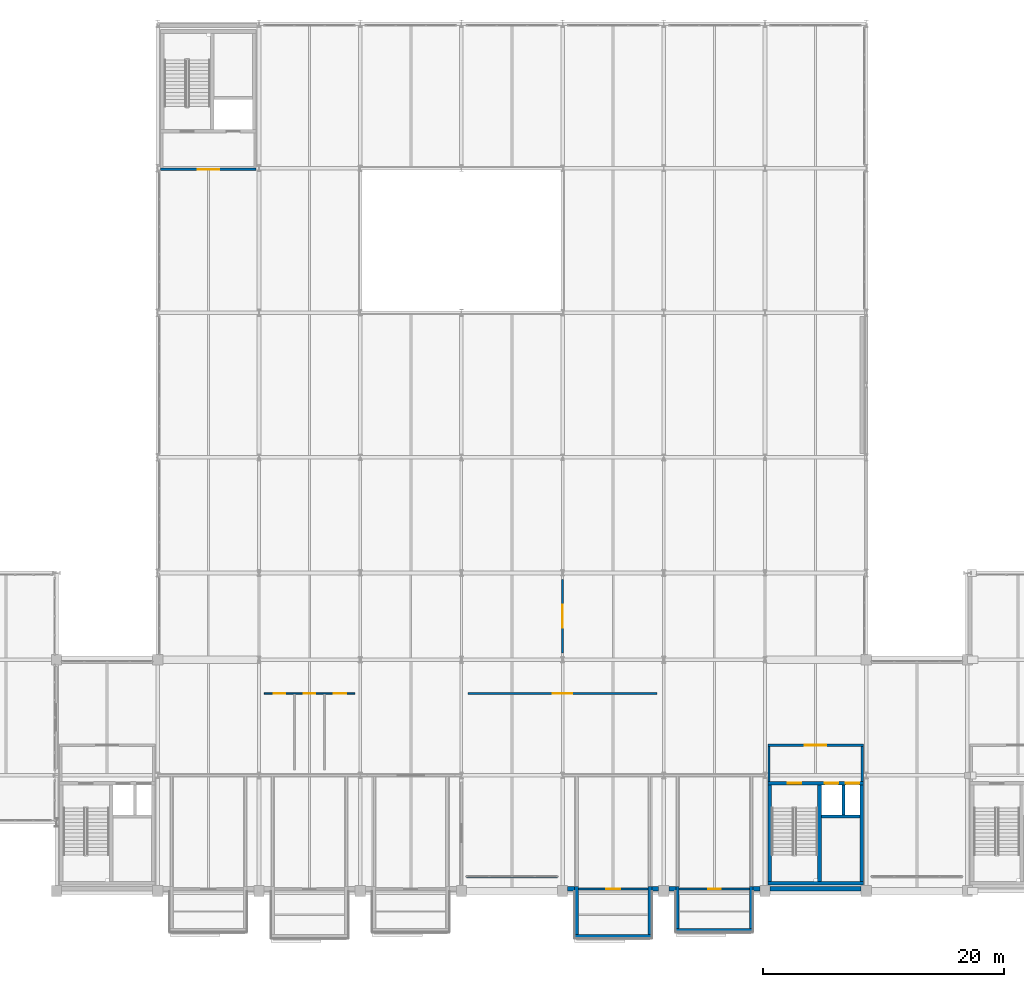
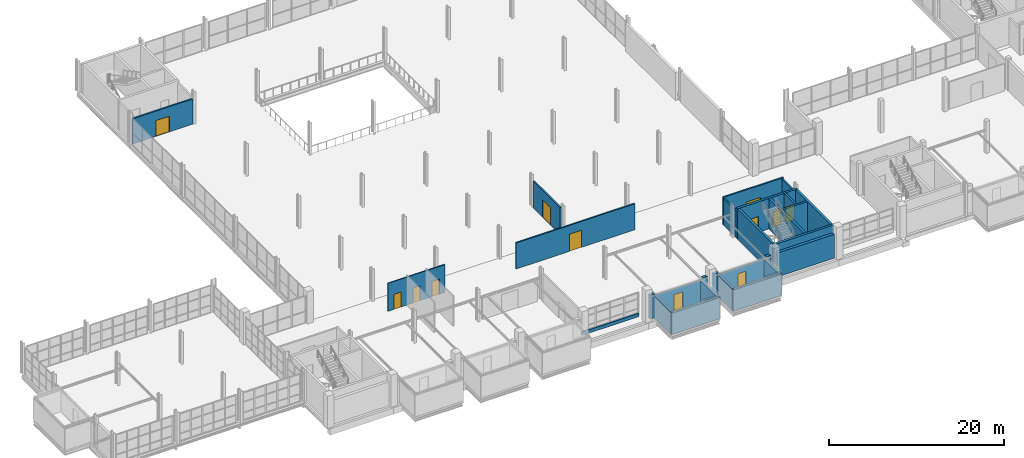
# One storey, part 97 of 109: 28 walls, 12 doors, 12 openings.
"""IFC4 building model written with IfcOpenShell, lengths in metres."""

from ifc_helpers import new_model, si_unit, direction, frame, frame_2d, origin, place, context, subcontext, project, spatial, rectangle, extrude, material, layer, layer_set, type_object, element, fill, save


model = new_model("IFC4")

# Units and contexts
model_context = context("Model", 3, precision=1e-05, world=origin(), true_north=direction((0.0, 1.0)))
body_context = subcontext(model_context, "Body", "Model", "MODEL_VIEW")
ifc_project = project(units=[si_unit("LENGTHUNIT", "METRE"), si_unit("AREAUNIT", "SQUARE_METRE"), si_unit("VOLUMEUNIT", "CUBIC_METRE"), si_unit("PLANEANGLEUNIT", "RADIAN"), si_unit("MASSUNIT", "GRAM", prefix="KILO")], contexts=[model_context])

# Site, building, storey
site_placement = place(None, origin())
site = spatial("IfcSite", under=ifc_project, at=site_placement, CompositionType="ELEMENT")
building_placement = place(site_placement, origin())
building = spatial("IfcBuilding", under=site, at=building_placement, Name="Veltarok Museum of Natural Sciences", CompositionType="ELEMENT")
storey_placement = place(building_placement, frame((0.0, 0.0, 17.39990234375)))
storey = spatial("IfcBuildingStorey", under=building, at=storey_placement, Name="L03", CompositionType="ELEMENT", Elevation=17.39990234375)

# Walls
ifc_material_1 = material(Name="Precast concrete C40/50", Category="concrete")
ifc_layer_1 = layer(ifc_material_1, 0.280029296875)
ifc_layer_set_1 = layer_set([ifc_layer_1], Name="Precast concrete C40/50")
wall_type_1 = type_object("IfcWallType", Name="Cabinet Box Insulated Backup Wall 280", PredefinedType="SOLIDWALL", material=ifc_layer_set_1)
wall_1_placement = place(storey_placement, frame((83.0, -3.260009765625, 0.0), z_axis=(0.0, 0.0, 1.0), x_axis=(1.0, 0.0, 0.0)))
element("IfcWall", 1, at=wall_1_placement, inside=storey, type_object=wall_type_1, Name="Cabinet Box Wall DB-17-S", PredefinedType="SOLIDWALL", context=body_context, shape_type="SweptSolid", body=[
    extrude(rectangle(XDim=6.39990234375, YDim=0.280029296875, at=frame_2d((3.199951171875, 0.0))), origin(), (0.0, 0.0, 1.0), 2.989990234375),
])
for number, where, z_axis, x_axis, name in (
    (2, (83.139892578125, 0.360107421875, 0.0), (0.0, 0.0, 1.0), (0.0, -1.0, 0.0), "Cabinet Box Wall DB-17-W"),
    (3, (89.260009765625, -3.1201171875, 0.0), (0.0, 0.0, 1.0), (0.0, 1.0, 0.0), "Cabinet Box Wall DB-17-E"),
):
    element("IfcWall", number, at=place(storey_placement, frame(where, z_axis=z_axis, x_axis=x_axis)), inside=storey, type_object=wall_type_1, Name=name, PredefinedType="SOLIDWALL", context=body_context, shape_type="SweptSolid", body=[
        extrude(rectangle(XDim=3.480224609375, YDim=0.280029296875, at=frame_2d((1.740234375, 0.0))), origin(), (0.0, 0.0, 1.0), 2.989990234375),
    ])
ifc_layer_2 = layer(ifc_material_1, 0.300048828125)
ifc_layer_set_2 = layer_set([ifc_layer_2], Name="Precast concrete C40/50")
wall_type_2 = type_object("IfcWallType", Name="Deep Cabinet Box Insulated Wall 300", PredefinedType="SOLIDWALL", material=ifc_layer_set_2)
wall_2_placement = place(storey_placement, frame((74.60009765625, -3.75, 0.0), z_axis=(0.0, 0.0, 1.0), x_axis=(1.0, 0.0, 0.0)))
element("IfcWall", 4, at=wall_2_placement, inside=storey, type_object=wall_type_2, Name="Cabinet Box Wall DB-16-S", PredefinedType="SOLIDWALL", context=body_context, shape_type="SweptSolid", body=[
    extrude(rectangle(XDim=6.39990234375, YDim=0.300048828125, at=frame_2d((3.199951171875, 0.0))), origin(), (0.0, 0.0, 1.0), 2.989990234375),
])
for number, where, z_axis, x_axis, name in (
    (5, (74.75, 0.360107421875, 0.0), (0.0, 0.0, 1.0), (0.0, -1.0, 0.0), "Cabinet Box Wall DB-16-W"),
    (6, (80.85009765625, -3.60009765625, 0.0), (0.0, 0.0, 1.0), (0.0, 1.0, 0.0), "Cabinet Box Wall DB-16-E"),
):
    element("IfcWall", number, at=place(storey_placement, frame(where, z_axis=z_axis, x_axis=x_axis)), inside=storey, type_object=wall_type_2, Name=name, PredefinedType="SOLIDWALL", context=body_context, shape_type="SweptSolid", body=[
        extrude(rectangle(XDim=3.960205078125, YDim=0.300048828125, at=frame_2d((1.97998046875, 0.0))), origin(), (0.0, 0.0, 1.0), 2.989990234375),
    ])

# Wall, opening, door
ifc_material_2 = material(Name="Acoustic gypsum and mineral wool")
ifc_layer_3 = layer(ifc_material_2, 0.179931640625)
ifc_layer_set_3 = layer_set([ifc_layer_3], Name="Acoustic gypsum and mineral wool")
wall_type_3 = type_object("IfcWallType", Name="Exhibition Gallery Partition 180", PredefinedType="PARTITIONING", material=ifc_layer_set_3)
wall_3_placement = place(storey_placement, frame((74.89990234375, 0.179931640625, 0.0), z_axis=(0.0, 0.0, 1.0), x_axis=(1.0, 0.0, 0.0)))
wall_3 = element("IfcWall", 7, at=wall_3_placement, inside=storey, type_object=wall_type_3, Name="Cabinet Threshold Partition DB-16", PredefinedType="PARTITIONING", context=body_context, shape_type="SweptSolid", body=[
    extrude(rectangle(XDim=5.800048828125, YDim=0.179931640625, at=frame_2d((2.89990234375, 0.0))), origin(), (0.0, 0.0, 1.0), 2.989990234375),
])
opening_1_placement = place(wall_3_placement, frame((2.31005859375, 0.0, 0.0)))
opening_1 = element("IfcOpeningElement", 8, at=opening_1_placement, cuts=wall_3, Name="Opening D-L03-087", PredefinedType="OPENING", context=body_context, shape_type="SweptSolid", body=[
    extrude(rectangle(XDim=1.179931640625, YDim=2.25, at=frame_2d((0.58984375, 1.125))), frame((0.0, 0.10009765625, 0.0), z_axis=(0.0, -1.0, 0.0), x_axis=(1.0, 0.0, 0.0)), (0.0, 0.0, 1.0), 0.199951171875),
])
ifc_material_3 = material(Name="Airtight powder-coated steel", Category="steel")
door_type_1 = type_object("IfcDoorType", Name="Large Cabinet Conservation Door 1180x2250", OperationType="NOTDEFINED", PredefinedType="DOOR", material=ifc_material_3)
door_1_placement = place(opening_1_placement, origin())
door_1 = element("IfcDoor", 9, at=door_1_placement, inside=storey, type_object=door_type_1, Name="Cabinet Conservation Door DB-16", OperationType="SINGLE_SWING_LEFT", OverallHeight=2.25, OverallWidth=1.179931640625, PredefinedType="DOOR", context=body_context, shape_type="SweptSolid", body=[
    extrude(rectangle(XDim=1.179931640625, YDim=2.25, at=frame_2d((0.58984375, 1.125))), frame((0.0, 0.02490234375, 0.0), z_axis=(0.0, -1.0, 0.0), x_axis=(1.0, 0.0, 0.0)), (0.0, 0.0, 1.0), 0.050048828125),
])
fill(opening_1, door_1)

wall_4_placement = place(storey_placement, frame((83.280029296875, 0.179931640625, 0.0), z_axis=(0.0, 0.0, 1.0), x_axis=(1.0, 0.0, 0.0)))
wall_4 = element("IfcWall", 10, at=wall_4_placement, inside=storey, type_object=wall_type_3, Name="Cabinet Threshold Partition DB-17", PredefinedType="PARTITIONING", context=body_context, shape_type="SweptSolid", body=[
    extrude(rectangle(XDim=5.840087890625, YDim=0.179931640625, at=frame_2d((2.919921875, 0.0))), origin(), (0.0, 0.0, 1.0), 2.989990234375),
])
opening_2_placement = place(wall_4_placement, frame((2.39990234375, 0.0, 0.0)))
opening_2 = element("IfcOpeningElement", 11, at=opening_2_placement, cuts=wall_4, Name="Opening D-L03-088", PredefinedType="OPENING", context=body_context, shape_type="SweptSolid", body=[
    extrude(rectangle(XDim=1.0400390625, YDim=2.179931640625, at=frame_2d((0.52001953125, 1.08984375))), frame((0.0, 0.10009765625, 0.0), z_axis=(0.0, -1.0, 0.0), x_axis=(1.0, 0.0, 0.0)), (0.0, 0.0, 1.0), 0.199951171875),
])
door_type_2 = type_object("IfcDoorType", Name="Compact Cabinet Conservation Door 1040x2180", OperationType="NOTDEFINED", PredefinedType="DOOR", material=ifc_material_3)
door_2_placement = place(opening_2_placement, origin())
door_2 = element("IfcDoor", 12, at=door_2_placement, inside=storey, type_object=door_type_2, Name="Cabinet Conservation Door DB-17", OperationType="SINGLE_SWING_RIGHT", OverallHeight=2.179931640625, OverallWidth=1.0400390625, PredefinedType="DOOR", context=body_context, shape_type="SweptSolid", body=[
    extrude(rectangle(XDim=1.0400390625, YDim=2.179931640625, at=frame_2d((0.52001953125, 1.08984375))), frame((0.0, 0.02490234375, 0.0), z_axis=(0.0, -1.0, 0.0), x_axis=(1.0, 0.0, 0.0)), (0.0, 0.0, 1.0), 0.050048828125),
])
fill(opening_2, door_2)

wall_5_placement = place(storey_placement, frame((65.75, 16.39990234375, 0.0), z_axis=(0.0, 0.0, 1.0), x_axis=(1.0, 0.0, 0.0)))
wall_5 = element("IfcWall", 13, at=wall_5_placement, inside=storey, type_object=wall_type_3, Name="Interior Partition L03-047", PredefinedType="PARTITIONING", context=body_context, shape_type="SweptSolid", body=[
    extrude(rectangle(XDim=15.699951171875, YDim=0.179931640625, at=frame_2d((7.85009765625, 0.0))), origin(), (0.0, 0.0, 1.0), 3.632080078125),
])
opening_3_placement = place(wall_5_placement, frame((7.050048828125, 0.0, 0.0)))
opening_3 = element("IfcOpeningElement", 14, at=opening_3_placement, cuts=wall_5, Name="Opening D-L03-173", PredefinedType="OPENING", context=body_context, shape_type="SweptSolid", body=[
    extrude(rectangle(XDim=1.60009765625, YDim=2.39990234375, at=frame_2d((0.800048828125, 1.199951171875))), frame((0.0, 0.10009765625, 0.0), z_axis=(0.0, -1.0, 0.0), x_axis=(1.0, 0.0, 0.0)), (0.0, 0.0, 1.0), 0.199951171875),
])
ifc_material_4 = material(Name="Solid European oak and safety glass", Category="glass")
door_type_3 = type_object("IfcDoorType", Name="Gallery Double Swing Door 1600x2400", OperationType="NOTDEFINED", PredefinedType="DOOR", material=ifc_material_4)
door_3_placement = place(opening_3_placement, origin())
door_3 = element("IfcDoor", 15, at=door_3_placement, inside=storey, type_object=door_type_3, Name="Interior Door D-L03-173", OperationType="DOUBLE_DOOR_SINGLE_SWING", OverallHeight=2.39990234375, OverallWidth=1.60009765625, PredefinedType="DOOR", context=body_context, shape_type="SweptSolid", body=[
    extrude(rectangle(XDim=1.60009765625, YDim=2.39990234375, at=frame_2d((0.800048828125, 1.199951171875))), frame((0.0, 0.02490234375, 0.0), z_axis=(0.0, -1.0, 0.0), x_axis=(1.0, 0.0, 0.0)), (0.0, 0.0, 1.0), 0.050048828125),
])
fill(opening_3, door_3)

wall_6_placement = place(storey_placement, frame((73.60009765625, 19.75, 0.0), z_axis=(0.0, 0.0, 1.0), x_axis=(0.0, 1.0, 0.0)))
wall_6 = element("IfcWall", 16, at=wall_6_placement, inside=storey, type_object=wall_type_3, Name="Interior Partition L03-049", PredefinedType="PARTITIONING", context=body_context, shape_type="SweptSolid", body=[
    extrude(rectangle(XDim=6.10009765625, YDim=0.179931640625, at=frame_2d((3.050048828125, 0.0))), origin(), (0.0, 0.0, 1.0), 3.781982421875),
])
opening_4_placement = place(wall_6_placement, frame((2.10009765625, 0.0, 0.0)))
opening_4 = element("IfcOpeningElement", 17, at=opening_4_placement, cuts=wall_6, Name="Opening D-L03-175", PredefinedType="OPENING", context=body_context, shape_type="SweptSolid", body=[
    extrude(rectangle(XDim=1.89990234375, YDim=2.449951171875, at=frame_2d((0.949951171875, 1.22509765625))), frame((0.0, 0.10009765625, 0.0), z_axis=(0.0, -1.0, 0.0), x_axis=(1.0, 0.0, 0.0)), (0.0, 0.0, 1.0), 0.199951171875),
])
ifc_material_5 = material(Name="Solid European oak and acoustic glass", Category="glass")
door_type_4 = type_object("IfcDoorType", Name="Exhibition Hall Double Door 1900x2450", OperationType="NOTDEFINED", PredefinedType="DOOR", material=ifc_material_5)
door_4_placement = place(opening_4_placement, origin())
door_4 = element("IfcDoor", 18, at=door_4_placement, inside=storey, type_object=door_type_4, Name="Interior Door D-L03-175", OperationType="DOUBLE_DOOR_SINGLE_SWING", OverallHeight=2.449951171875, OverallWidth=1.89990234375, PredefinedType="DOOR", context=body_context, shape_type="SweptSolid", body=[
    extrude(rectangle(XDim=1.89990234375, YDim=2.449951171875, at=frame_2d((0.949951171875, 1.22509765625))), frame((0.0, 0.02490234375, 0.0), z_axis=(0.0, -1.0, 0.0), x_axis=(1.0, 0.0, 0.0)), (0.0, 0.0, 1.0), 0.050048828125),
])
fill(opening_4, door_4)

# Walls
ifc_material_6 = material(Name="Concrete C40/50", Category="concrete")
ifc_layer_4 = layer(ifc_material_6, 0.360107421875)
ifc_layer_set_4 = layer_set([ifc_layer_4], Name="Concrete C40/50")
wall_type_4 = type_object("IfcWallType", Name="Exposed Architectural Concrete Facade Wall 360", PredefinedType="SOLIDWALL", material=ifc_layer_set_4)
wall_7_placement = place(storey_placement, frame((74.02490234375, 0.179931640625, 0.0), z_axis=(0.0, 0.0, 1.0), x_axis=(1.0, 0.0, 0.0)))
element("IfcWall", 19, at=wall_7_placement, inside=storey, type_object=wall_type_4, Name="Cabinet Collar Wall L03 9-10L", PredefinedType="SOLIDWALL", context=body_context, shape_type="SweptSolid", body=[
    extrude(rectangle(XDim=0.5751953125, YDim=0.360107421875, at=frame_2d((0.28759765625, 0.0))), origin(), (0.0, 0.0, 1.0), 3.335205078125),
])
for number, where, z_axis, x_axis, name in (
    (20, (81.0, 0.179931640625, 0.0), (0.0, 0.0, 1.0), (1.0, 0.0, 0.0), "Cabinet Collar Wall L03 9-10R"),
    (21, (82.425048828125, 0.179931640625, 0.0), (0.0, 0.0, 1.0), (1.0, 0.0, 0.0), "Cabinet Collar Wall L03 10-11L"),
):
    element("IfcWall", number, at=place(storey_placement, frame(where, z_axis=z_axis, x_axis=x_axis)), inside=storey, type_object=wall_type_4, Name=name, PredefinedType="SOLIDWALL", context=body_context, shape_type="SweptSolid", body=[
        extrude(rectangle(XDim=0.574951171875, YDim=0.360107421875, at=frame_2d((0.28759765625, 0.0))), origin(), (0.0, 0.0, 1.0), 3.335205078125),
    ])
wall_8_placement = place(storey_placement, frame((89.39990234375, 0.179931640625, 0.0), z_axis=(0.0, 0.0, 1.0), x_axis=(1.0, 0.0, 0.0)))
element("IfcWall", 22, at=wall_8_placement, inside=storey, type_object=wall_type_4, Name="Cabinet Collar Wall L03 10-11R", PredefinedType="SOLIDWALL", context=body_context, shape_type="SweptSolid", body=[
    extrude(rectangle(XDim=0.5751953125, YDim=0.360107421875, at=frame_2d((0.28759765625, 0.0))), origin(), (0.0, 0.0, 1.0), 3.335205078125),
])
wall_9_placement = place(storey_placement, frame((90.824951171875, 0.179931640625, 0.0), z_axis=(0.0, 0.0, 1.0), x_axis=(1.0, 0.0, 0.0)))
element("IfcWall", 23, at=wall_9_placement, inside=storey, type_object=wall_type_4, Name="South Core Facade Wall L03 11-12", PredefinedType="SOLIDWALL", context=body_context, shape_type="SweptSolid", body=[
    extrude(rectangle(XDim=7.550048828125, YDim=0.360107421875, at=frame_2d((3.77490234375, 0.0))), origin(), (0.0, 0.0, 1.0), 3.335205078125),
])

# Wall, opening, door
ifc_material_7 = material(Name="Concrete C35/45", Category="concrete")
ifc_layer_5 = layer(ifc_material_7, 0.199951171875)
ifc_layer_set_5 = layer_set([ifc_layer_5], Name="Concrete C35/45")
wall_type_5 = type_object("IfcWallType", Name="Firefighting Lobby Compartment Wall 200", PredefinedType="SOLIDWALL", material=ifc_layer_set_5)
wall_10_placement = place(storey_placement, frame((90.6298828125, 12.10009765625, 0.0), z_axis=(0.0, 0.0, 1.0), x_axis=(1.0, 0.0, 0.0)))
wall_10 = element("IfcWall", 24, at=wall_10_placement, inside=storey, type_object=wall_type_5, Name="Firefighting Lobby Wall C2 L03 N", PredefinedType="SOLIDWALL", context=body_context, shape_type="SweptSolid", body=[
    extrude(rectangle(XDim=7.940185546875, YDim=0.199951171875, at=frame_2d((3.97021484375, 0.0))), origin(), (0.0, 0.0, 1.0), 3.902099609375),
])
opening_5_placement = place(wall_10_placement, frame((3.070068359375, 0.0, 0.0)))
opening_5 = element("IfcOpeningElement", 25, at=opening_5_placement, cuts=wall_10, Name="Opening D-L03-049", PredefinedType="OPENING", context=body_context, shape_type="SweptSolid", body=[
    extrude(rectangle(XDim=1.800048828125, YDim=2.199951171875, at=frame_2d((0.89990234375, 1.10009765625))), frame((0.0, 0.10986328125, 0.0), z_axis=(0.0, -1.0, 0.0), x_axis=(1.0, 0.0, 0.0)), (0.0, 0.0, 1.0), 0.219970703125),
])
ifc_material_8 = material(Name="Fire-rated steel and vision glass", Category="steel")
door_type_5 = type_object("IfcDoorType", Name="Fire Lobby Double Door 1800x2200", OperationType="NOTDEFINED", PredefinedType="DOOR", material=ifc_material_8)
door_5_placement = place(opening_5_placement, origin())
door_5 = element("IfcDoor", 26, at=door_5_placement, inside=storey, type_object=door_type_5, Name="Firefighting Lobby Entrance Door C2 L03", OperationType="DOUBLE_DOOR_SINGLE_SWING", OverallHeight=2.199951171875, OverallWidth=1.800048828125, PredefinedType="DOOR", context=body_context, shape_type="SweptSolid", body=[
    extrude(rectangle(XDim=1.800048828125, YDim=2.199951171875, at=frame_2d((0.89990234375, 1.10009765625))), frame((0.0, 0.02490234375, 0.0), z_axis=(0.0, -1.0, 0.0), x_axis=(1.0, 0.0, 0.0)), (0.0, 0.0, 1.0), 0.050048828125),
])
fill(opening_5, door_5)

# Walls
for number, where, z_axis, x_axis, name in (
    (27, (90.72998046875, 9.10009765625, 0.0), (0.0, 0.0, 1.0), (0.0, 1.0, 0.0), "Firefighting Lobby Wall C2 L03 W"),
    (28, (98.469970703125, 12.0, 0.0), (0.0, 0.0, 1.0), (0.0, -1.0, 0.0), "Firefighting Lobby Wall C2 L03 E"),
):
    element("IfcWall", number, at=place(storey_placement, frame(where, z_axis=z_axis, x_axis=x_axis)), inside=storey, type_object=wall_type_5, Name=name, PredefinedType="SOLIDWALL", context=body_context, shape_type="SweptSolid", body=[
        extrude(rectangle(XDim=2.89990234375, YDim=0.199951171875, at=frame_2d((1.449951171875, 0.0))), origin(), (0.0, 0.0, 1.0), 3.732177734375),
    ])

# Wall, opening, door
wall_11_placement = place(storey_placement, frame((48.169921875, 59.89990234375, 0.0), z_axis=(0.0, 0.0, 1.0), x_axis=(-1.0, 0.0, 0.0)))
wall_11 = element("IfcWall", 29, at=wall_11_placement, inside=storey, type_object=wall_type_5, Name="Firefighting Lobby Wall C3 L03 S", PredefinedType="SOLIDWALL", context=body_context, shape_type="SweptSolid", body=[
    extrude(rectangle(XDim=7.93994140625, YDim=0.199951171875, at=frame_2d((3.969970703125, 0.0))), origin(), (0.0, 0.0, 1.0), 3.531982421875),
])
opening_6_placement = place(wall_11_placement, frame((3.070068359375, 0.0, 0.0)))
opening_6 = element("IfcOpeningElement", 30, at=opening_6_placement, cuts=wall_11, Name="Opening D-L03-051", PredefinedType="OPENING", context=body_context, shape_type="SweptSolid", body=[
    extrude(rectangle(XDim=1.800048828125, YDim=2.199951171875, at=frame_2d((0.89990234375, 1.10009765625))), frame((0.0, 0.10986328125, 0.0), z_axis=(0.0, -1.0, 0.0), x_axis=(1.0, 0.0, 0.0)), (0.0, 0.0, 1.0), 0.219970703125),
])
door_6_placement = place(opening_6_placement, origin())
door_6 = element("IfcDoor", 31, at=door_6_placement, inside=storey, type_object=door_type_5, Name="Firefighting Lobby Entrance Door C3 L03", OperationType="DOUBLE_DOOR_SINGLE_SWING", OverallHeight=2.199951171875, OverallWidth=1.800048828125, PredefinedType="DOOR", context=body_context, shape_type="SweptSolid", body=[
    extrude(rectangle(XDim=1.800048828125, YDim=2.199951171875, at=frame_2d((0.89990234375, 1.10009765625))), frame((0.0, 0.02490234375, 0.0), z_axis=(0.0, -1.0, 0.0), x_axis=(1.0, 0.0, 0.0)), (0.0, 0.0, 1.0), 0.050048828125),
])
fill(opening_6, door_6)

# Walls
ifc_layer_6 = layer(ifc_material_6, 0.25)
ifc_layer_set_6 = layer_set([ifc_layer_6], Name="Concrete C40/50")
wall_type_6 = type_object("IfcWallType", Name="Lift Shaft Concrete Shear Wall 250", PredefinedType="SHEAR", material=ifc_layer_set_6)
wall_12_placement = place(storey_placement, frame((96.9150390625, 6.300048828125, 0.0), z_axis=(0.0, 0.0, 1.0), x_axis=(0.0, 1.0, 0.0)))
element("IfcWall", 32, at=wall_12_placement, inside=storey, type_object=wall_type_6, Name="Lift Shaft Divider Wall C2 L03", PredefinedType="SHEAR", context=body_context, shape_type="SweptSolid", body=[
    extrude(rectangle(XDim=2.5, YDim=0.25, at=frame_2d((1.25, 0.0))), origin(), (0.0, 0.0, 1.0), 4.25),
])
wall_13_placement = place(storey_placement, frame((95.070068359375, 6.175048828125, 0.0), z_axis=(0.0, 0.0, 1.0), x_axis=(1.0, 0.0, 0.0)))
element("IfcWall", 33, at=wall_13_placement, inside=storey, type_object=wall_type_6, Name="Lift Shaft Back Wall C2 L03", PredefinedType="SHEAR", context=body_context, shape_type="SweptSolid", body=[
    extrude(rectangle(XDim=3.199951171875, YDim=0.25, at=frame_2d((1.60009765625, 0.0))), origin(), (0.0, 0.0, 1.0), 4.25),
])
ifc_layer_7 = layer(ifc_material_6, 0.300048828125)
ifc_layer_set_7 = layer_set([ifc_layer_7], Name="Concrete C40/50")
wall_type_7 = type_object("IfcWallType", Name="Protected Core Shear Wall 300", PredefinedType="SHEAR", material=ifc_layer_set_7)
wall_14_placement = place(storey_placement, frame((90.6298828125, 0.64990234375, 0.0), z_axis=(0.0, 0.0, 1.0), x_axis=(1.0, 0.0, 0.0)))
element("IfcWall", 34, at=wall_14_placement, inside=storey, type_object=wall_type_7, Name="Core Shear Wall C2 L03 S", PredefinedType="SHEAR", context=body_context, shape_type="SweptSolid", body=[
    extrude(rectangle(XDim=7.940185546875, YDim=0.300048828125, at=frame_2d((3.97021484375, 0.0))), origin(), (0.0, 0.0, 1.0), 4.25),
])

# Wall, openings, doors
wall_15_placement = place(storey_placement, frame((98.570068359375, 8.949951171875, 0.0), z_axis=(0.0, 0.0, 1.0), x_axis=(-1.0, 0.0, 0.0)))
wall_15 = element("IfcWall", 35, at=wall_15_placement, inside=storey, type_object=wall_type_7, Name="Core Shear Wall C2 L03 N", PredefinedType="SHEAR", context=body_context, shape_type="SweptSolid", body=[
    extrude(rectangle(XDim=7.940185546875, YDim=0.300048828125, at=frame_2d((3.97021484375, 0.0))), origin(), (0.0, 0.0, 1.0), 4.25),
])
opening_7_placement = place(wall_15_placement, frame((5.169921875, 0.0, 0.0)))
opening_7 = element("IfcOpeningElement", 36, at=opening_7_placement, cuts=wall_15, Name="Opening D-L03-048", PredefinedType="OPENING", context=body_context, shape_type="SweptSolid", body=[
    extrude(rectangle(XDim=1.10009765625, YDim=2.199951171875, at=frame_2d((0.550048828125, 1.10009765625))), frame((0.0, 0.16015625, 0.0), z_axis=(0.0, -1.0, 0.0), x_axis=(1.0, 0.0, 0.0)), (0.0, 0.0, 1.0), 0.320068359375),
])
opening_8_placement = place(wall_15_placement, frame((2.090087890625, 0.0, 0.0)))
opening_8 = element("IfcOpeningElement", 37, at=opening_8_placement, cuts=wall_15, Name="Opening LD-L03-LP-02", PredefinedType="OPENING", context=body_context, shape_type="SweptSolid", body=[
    extrude(rectangle(XDim=1.10009765625, YDim=2.10009765625, at=frame_2d((0.550048828125, 1.050048828125))), frame((0.0, 0.16015625, 0.0), z_axis=(0.0, -1.0, 0.0), x_axis=(1.0, 0.0, 0.0)), (0.0, 0.0, 1.0), 0.320068359375),
])
opening_9_placement = place(wall_15_placement, frame((0.364990234375, 0.0, 0.0)))
opening_9 = element("IfcOpeningElement", 38, at=opening_9_placement, cuts=wall_15, Name="Opening LD-L03-FL-02", PredefinedType="OPENING", context=body_context, shape_type="SweptSolid", body=[
    extrude(rectangle(XDim=1.10009765625, YDim=2.10009765625, at=frame_2d((0.550048828125, 1.050048828125))), frame((0.0, 0.16015625, 0.0), z_axis=(0.0, -1.0, 0.0), x_axis=(1.0, 0.0, 0.0)), (0.0, 0.0, 1.0), 0.320068359375),
])
ifc_material_9 = material(Name="Fire-rated painted steel", Category="steel")
door_type_6 = type_object("IfcDoorType", Name="Fire Core Single Escape Door 1100x2200", OperationType="NOTDEFINED", PredefinedType="DOOR", material=ifc_material_9)
door_7_placement = place(opening_7_placement, origin())
door_7 = element("IfcDoor", 39, at=door_7_placement, inside=storey, type_object=door_type_6, Name="Protected Stair Door ST-02 L03", OperationType="SINGLE_SWING_LEFT", OverallHeight=2.199951171875, OverallWidth=1.10009765625, PredefinedType="DOOR", context=body_context, shape_type="SweptSolid", body=[
    extrude(rectangle(XDim=1.10009765625, YDim=2.199951171875, at=frame_2d((0.550048828125, 1.10009765625))), frame((0.0, 0.02490234375, 0.0), z_axis=(0.0, -1.0, 0.0), x_axis=(1.0, 0.0, 0.0)), (0.0, 0.0, 1.0), 0.050048828125),
])
fill(opening_7, door_7)
ifc_material_10 = material(Name="Brushed stainless steel", Category="steel")
door_type_7 = type_object("IfcDoorType", Name="Passenger and Firefighting Lift Landing Door 1100x2100", OperationType="SLIDING_TO_LEFT", PredefinedType="DOOR", material=ifc_material_10)
door_8_placement = place(opening_8_placement, origin())
door_8 = element("IfcDoor", 40, at=door_8_placement, inside=storey, type_object=door_type_7, Name="Sliding Lift Landing Door LD-L03-LP-02", OperationType="SLIDING_TO_LEFT", OverallHeight=2.10009765625, OverallWidth=1.10009765625, PredefinedType="DOOR", context=body_context, shape_type="SweptSolid", body=[
    extrude(rectangle(XDim=1.10009765625, YDim=2.10009765625, at=frame_2d((0.550048828125, 1.050048828125))), frame((0.0, 0.02490234375, 0.0), z_axis=(0.0, -1.0, 0.0), x_axis=(1.0, 0.0, 0.0)), (0.0, 0.0, 1.0), 0.050048828125),
])
fill(opening_8, door_8)
door_9_placement = place(opening_9_placement, origin())
door_9 = element("IfcDoor", 41, at=door_9_placement, inside=storey, type_object=door_type_7, Name="Sliding Lift Landing Door LD-L03-FL-02", OperationType="SLIDING_TO_LEFT", OverallHeight=2.10009765625, OverallWidth=1.10009765625, PredefinedType="DOOR", context=body_context, shape_type="SweptSolid", body=[
    extrude(rectangle(XDim=1.10009765625, YDim=2.10009765625, at=frame_2d((0.550048828125, 1.050048828125))), frame((0.0, 0.02490234375, 0.0), z_axis=(0.0, -1.0, 0.0), x_axis=(1.0, 0.0, 0.0)), (0.0, 0.0, 1.0), 0.050048828125),
])
fill(opening_9, door_9)

# Walls
for number, where, z_axis, x_axis, name in (
    (42, (90.780029296875, 8.800048828125, 0.0), (0.0, 0.0, 1.0), (0.0, -1.0, 0.0), "Core Shear Wall C2 L03 W"),
    (43, (98.419921875, 0.800048828125, 0.0), (0.0, 0.0, 1.0), (0.0, 1.0, 0.0), "Core Shear Wall C2 L03 E"),
    (44, (94.919921875, 0.800048828125, 0.0), (0.0, 0.0, 1.0), (0.0, 1.0, 0.0), "Core Shear Wall C2 L03 DIV"),
):
    element("IfcWall", number, at=place(storey_placement, frame(where, z_axis=z_axis, x_axis=x_axis)), inside=storey, type_object=wall_type_7, Name=name, PredefinedType="SHEAR", context=body_context, shape_type="SweptSolid", body=[
        extrude(rectangle(XDim=8.0, YDim=0.300048828125, at=frame_2d((4.0, 0.0))), origin(), (0.0, 0.0, 1.0), 4.25),
    ])

# Wall, openings, doors
ifc_layer_8 = layer(ifc_material_2, 0.125)
ifc_layer_set_8 = layer_set([ifc_layer_8], Name="Acoustic gypsum and mineral wool")
wall_type_8 = type_object("IfcWallType", Name="Sanitary Core Moisture-Resistant Partition 125", PredefinedType="PARTITIONING", material=ifc_layer_set_8)
wall_16_placement = place(storey_placement, frame((48.85009765625, 16.39990234375, 0.0), z_axis=(0.0, 0.0, 1.0), x_axis=(1.0, 0.0, 0.0)))
wall_16 = element("IfcWall", 45, at=wall_16_placement, inside=storey, type_object=wall_type_8, Name="Restroom Corridor Wall L03", PredefinedType="PARTITIONING", context=body_context, shape_type="SweptSolid", body=[
    extrude(rectangle(XDim=7.5, YDim=0.125, at=frame_2d((3.75, 0.0))), origin(), (0.0, 0.0, 1.0), 3.902099609375),
])
opening_10_placement = place(wall_16_placement, frame((0.77490234375, 0.0, 0.0)))
opening_10 = element("IfcOpeningElement", 46, at=opening_10_placement, cuts=wall_16, Name="Opening D-L03-118", PredefinedType="OPENING", context=body_context, shape_type="SweptSolid", body=[
    extrude(rectangle(XDim=0.949951171875, YDim=2.10009765625, at=frame_2d((0.47509765625, 1.050048828125))), frame((0.0, 0.072509765625, 0.0), z_axis=(0.0, -1.0, 0.0), x_axis=(1.0, 0.0, 0.0)), (0.0, 0.0, 1.0), 0.14501953125),
])
opening_11_placement = place(wall_16_placement, frame((3.27490234375, 0.0, 0.0)))
opening_11 = element("IfcOpeningElement", 47, at=opening_11_placement, cuts=wall_16, Name="Opening D-L03-119", PredefinedType="OPENING", context=body_context, shape_type="SweptSolid", body=[
    extrude(rectangle(XDim=0.949951171875, YDim=2.10009765625, at=frame_2d((0.47509765625, 1.050048828125))), frame((0.0, 0.072509765625, 0.0), z_axis=(0.0, -1.0, 0.0), x_axis=(1.0, 0.0, 0.0)), (0.0, 0.0, 1.0), 0.14501953125),
])
opening_12_placement = place(wall_16_placement, frame((5.77490234375, 0.0, 0.0)))
opening_12 = element("IfcOpeningElement", 48, at=opening_12_placement, cuts=wall_16, Name="Opening D-L03-120", PredefinedType="OPENING", context=body_context, shape_type="SweptSolid", body=[
    extrude(rectangle(XDim=1.0, YDim=2.1201171875, at=frame_2d((0.5, 1.06005859375))), frame((0.0, 0.072509765625, 0.0), z_axis=(0.0, -1.0, 0.0), x_axis=(1.0, 0.0, 0.0)), (0.0, 0.0, 1.0), 0.14501953125),
])
ifc_material_11 = material(Name="Moisture-resistant HPL")
door_type_8 = type_object("IfcDoorType", Name="Accessible Restroom Wide Door 1000x2120", OperationType="NOTDEFINED", PredefinedType="DOOR", material=ifc_material_11)
door_10_placement = place(opening_12_placement, frame((1.0, 0.0, 0.0), z_axis=(0.0, 0.0, 1.0), x_axis=(-1.0, 0.0, 0.0)))
door_10 = element("IfcDoor", 49, at=door_10_placement, inside=storey, type_object=door_type_8, Name="Restroom Door D-L03-120", OperationType="SINGLE_SWING_RIGHT", OverallHeight=2.1201171875, OverallWidth=1.0, PredefinedType="DOOR", context=body_context, shape_type="SweptSolid", body=[
    extrude(rectangle(XDim=1.0, YDim=2.1201171875, at=frame_2d((0.5, 1.06005859375))), frame((0.0, 0.02490234375, 0.0), z_axis=(0.0, -1.0, 0.0), x_axis=(1.0, 0.0, 0.0)), (0.0, 0.0, 1.0), 0.050048828125),
])
fill(opening_12, door_10)
door_type_9 = type_object("IfcDoorType", Name="Accessible Sanitary Room Door 950x2100", OperationType="NOTDEFINED", PredefinedType="DOOR", material=ifc_material_11)
door_11_placement = place(opening_10_placement, frame((0.949951171875, 0.0, 0.0), z_axis=(0.0, 0.0, 1.0), x_axis=(-1.0, 0.0, 0.0)))
door_11 = element("IfcDoor", 50, at=door_11_placement, inside=storey, type_object=door_type_9, Name="Restroom Door D-L03-118", OperationType="SINGLE_SWING_RIGHT", OverallHeight=2.10009765625, OverallWidth=0.949951171875, PredefinedType="DOOR", context=body_context, shape_type="SweptSolid", body=[
    extrude(rectangle(XDim=0.949951171875, YDim=2.10009765625, at=frame_2d((0.47509765625, 1.050048828125))), frame((0.0, 0.02490234375, 0.0), z_axis=(0.0, -1.0, 0.0), x_axis=(1.0, 0.0, 0.0)), (0.0, 0.0, 1.0), 0.050048828125),
])
fill(opening_10, door_11)
door_12_placement = place(opening_11_placement, frame((0.949951171875, 0.0, 0.0), z_axis=(0.0, 0.0, 1.0), x_axis=(-1.0, 0.0, 0.0)))
door_12 = element("IfcDoor", 51, at=door_12_placement, inside=storey, type_object=door_type_9, Name="Restroom Door D-L03-119", OperationType="SINGLE_SWING_LEFT", OverallHeight=2.10009765625, OverallWidth=0.949951171875, PredefinedType="DOOR", context=body_context, shape_type="SweptSolid", body=[
    extrude(rectangle(XDim=0.949951171875, YDim=2.10009765625, at=frame_2d((0.47509765625, 1.050048828125))), frame((0.0, 0.02490234375, 0.0), z_axis=(0.0, -1.0, 0.0), x_axis=(1.0, 0.0, 0.0)), (0.0, 0.0, 1.0), 0.050048828125),
])
fill(opening_11, door_12)

# Wall
ifc_layer_9 = layer(ifc_material_1, 0.219970703125)
ifc_layer_set_9 = layer_set([ifc_layer_9], Name="Precast concrete C40/50")
wall_type_9 = type_object("IfcWallType", Name="Terrace Upstand Curb Wall 220", PredefinedType="PARAPET", material=ifc_layer_set_9)
wall_17_placement = place(storey_placement, frame((65.625, 1.199951171875, -0.001953125), z_axis=(0.0, 0.0, 1.0), x_axis=(1.0, 0.0, 0.0)))
element("IfcWall", 52, at=wall_17_placement, inside=storey, type_object=wall_type_9, Name="Curtain Wall Sill Upstand CW-0005", PredefinedType="PARAPET", context=body_context, shape_type="SweptSolid", body=[
    extrude(rectangle(XDim=7.550048828125, YDim=0.219970703125, at=frame_2d((3.77490234375, 0.0))), origin(), (0.0, 0.0, 1.0), 0.466064453125),
])

save(model, "model.ifc")
